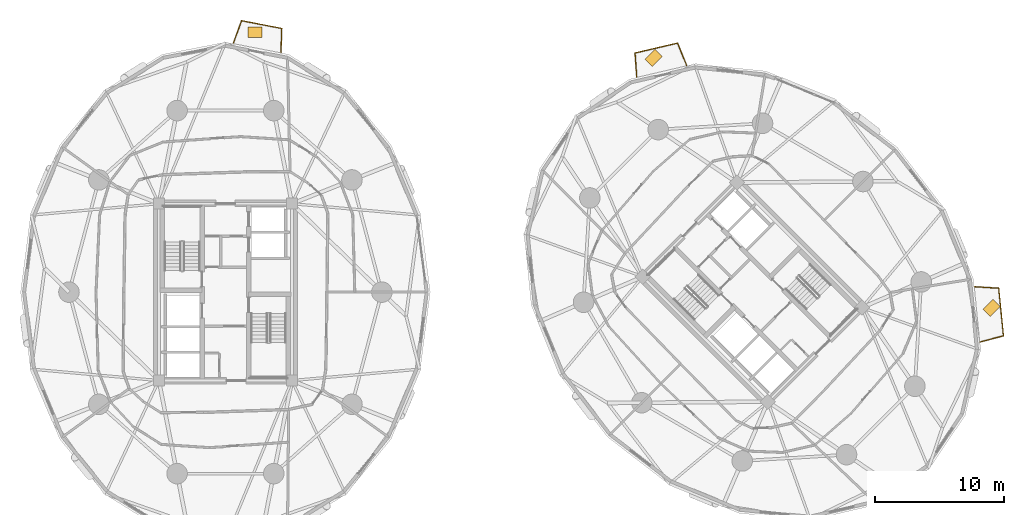
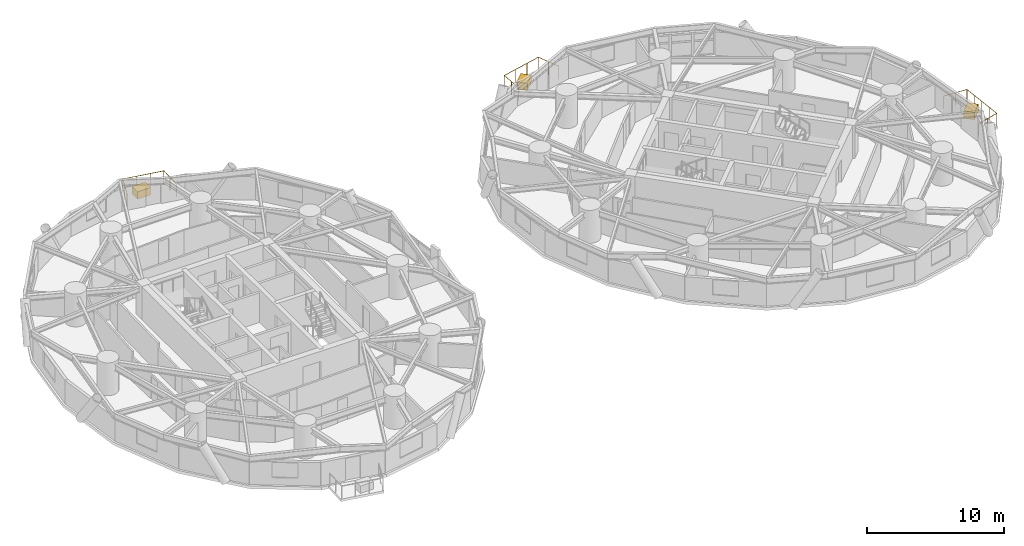
# One storey, part 17 of 17: 3 coverings, 3 railings.
"""IFC4 building model written with IfcOpenShell, lengths in metres."""

from ifc_helpers import new_model, si_unit, direction, frame, origin, origin_2d, place, context, subcontext, project, spatial, rectangle, circle, extrude, source, transform, mapped, material, layer, layer_set, type_object, element, save


model = new_model("IFC4")

# Units and contexts
model_context = context("Model", 3, precision=1e-05, world=origin(), true_north=direction((0.0, 1.0)))
body_context = subcontext(model_context, "Body", "Model", "MODEL_VIEW")
ifc_project = project(units=[si_unit("LENGTHUNIT", "METRE"), si_unit("AREAUNIT", "SQUARE_METRE"), si_unit("VOLUMEUNIT", "CUBIC_METRE"), si_unit("PLANEANGLEUNIT", "RADIAN"), si_unit("MASSUNIT", "GRAM", prefix="KILO")], contexts=[model_context])

# Site, building, storey
site_placement = place(None, origin())
site = spatial("IfcSite", under=ifc_project, at=site_placement, CompositionType="ELEMENT")
building_placement = place(site_placement, origin())
building = spatial("IfcBuilding", under=site, at=building_placement, Name="Cununo Teusaquillo Station Towers", CompositionType="ELEMENT")
storey_placement = place(building_placement, frame((0.0, 0.0, 59.830078125)))
storey = spatial("IfcBuildingStorey", under=building, at=storey_placement, Name="L18", CompositionType="ELEMENT", Elevation=59.830078125)

# Railings
ifc_material_1 = material(Name="Anodised dark bronze aluminium EN AW-6063-T6", Category="aluminium")
railing_type_1 = type_object("IfcRailingType", Name="RL-EXT-BALUS", PredefinedType="BALUSTRADE", material=ifc_material_1)
railing_1_placement = place(storey_placement, frame((17.1181640625, 43.87158203125, 0.0)))
element("IfcRailing", 1, at=railing_1_placement, inside=storey, type_object=railing_type_1, Name="L18 Tower A Balcony Guardrail C04", PredefinedType="BALUSTRADE", context=body_context, shape_type="SweptSolid", body=[
    extrude(circle(Radius=0.02392578125, at=origin_2d()), frame((0.0, 0.0, 1.17578125), z_axis=(0.343992902358, 0.938972248326, 0.0), x_axis=(-0.938972248326, 0.343992902358, 0.0)), (0.0, 0.0, 1.0), 1.86376953125),
    extrude(circle(Radius=0.02392578125, at=origin_2d()), frame((0.64111328125, 1.75, 1.17578125), z_axis=(0.981832956512, -0.189747320158, 0.0), x_axis=(0.189747320158, 0.981832956512, 0.0)), (0.0, 0.0, 1.0), 3.179443359375),
    extrude(circle(Radius=0.02392578125, at=origin_2d()), frame((3.7626953125, 1.146728515625, 1.17578125), z_axis=(-0.030654001707, -0.999530055666, 0.0), x_axis=(0.999530055666, -0.030654001707, 0.0)), (0.0, 0.0, 1.0), 1.86376953125),
    extrude(circle(Radius=0.02099609375, at=origin_2d()), origin(), (0.0, 0.0, 1.0), 1.15185546875),
    extrude(circle(Radius=0.02099609375, at=origin_2d()), frame((0.320556640625, 0.875, 0.0)), (0.0, 0.0, 1.0), 1.15185546875),
    extrude(circle(Radius=0.02099609375, at=origin_2d()), frame((0.64111328125, 1.75, 0.0)), (0.0, 0.0, 1.0), 1.15185546875),
    extrude(circle(Radius=0.02099609375, at=origin_2d()), frame((1.681640625, 1.548828125, 0.0)), (0.0, 0.0, 1.0), 1.15185546875),
    extrude(circle(Radius=0.02099609375, at=origin_2d()), frame((2.72216796875, 1.347900390625, 0.0)), (0.0, 0.0, 1.0), 1.15185546875),
    extrude(circle(Radius=0.02099609375, at=origin_2d()), frame((3.7626953125, 1.146728515625, 0.0)), (0.0, 0.0, 1.0), 1.15185546875),
    extrude(circle(Radius=0.02099609375, at=origin_2d()), frame((3.734130859375, 0.21533203125, 0.0)), (0.0, 0.0, 1.0), 1.15185546875),
    extrude(circle(Radius=0.02099609375, at=origin_2d()), frame((3.70556640625, -0.716064453125, 0.0)), (0.0, 0.0, 1.0), 1.15185546875),
])
railing_2_placement = place(storey_placement, frame((48.501220703125, 41.242919921875, 0.0)))
element("IfcRailing", 2, at=railing_2_placement, inside=storey, type_object=railing_type_1, Name="L18 Tower B Balcony Guardrail C03", PredefinedType="BALUSTRADE", context=body_context, shape_type="SweptSolid", body=[
    extrude(circle(Radius=0.02392578125, at=origin_2d()), frame((0.0, 0.0, 1.17578125), z_axis=(-0.069035426256, 0.997614208961, 0.0), x_axis=(-0.997614208961, -0.069035426256, 0.0)), (0.0, 0.0, 1.0), 1.8671875),
    extrude(circle(Radius=0.02392578125, at=origin_2d()), frame((-0.12890625, 1.86279296875, 1.17578125), z_axis=(0.973844925732, 0.227213689346, 0.0), x_axis=(-0.227213689346, 0.973844925732, 0.0)), (0.0, 0.0, 1.0), 3.39208984375),
    extrude(circle(Radius=0.02392578125, at=origin_2d()), frame((3.174560546875, 2.633544921875, 1.17578125), z_axis=(0.379717055275, -0.925102674266, 0.0), x_axis=(0.925102674266, 0.379717055275, 0.0)), (0.0, 0.0, 1.0), 1.8671875),
    extrude(circle(Radius=0.02099609375, at=origin_2d()), origin(), (0.0, 0.0, 1.0), 1.15185546875),
    extrude(circle(Radius=0.02099609375, at=origin_2d()), frame((-0.064453125, 0.931396484375, 0.0)), (0.0, 0.0, 1.0), 1.15185546875),
    extrude(circle(Radius=0.02099609375, at=origin_2d()), frame((-0.12890625, 1.86279296875, 0.0)), (0.0, 0.0, 1.0), 1.15185546875),
    extrude(circle(Radius=0.02099609375, at=origin_2d()), frame((0.97216796875, 2.11962890625, 0.0)), (0.0, 0.0, 1.0), 1.15185546875),
    extrude(circle(Radius=0.02099609375, at=origin_2d()), frame((2.073486328125, 2.376708984375, 0.0)), (0.0, 0.0, 1.0), 1.15185546875),
    extrude(circle(Radius=0.02099609375, at=origin_2d()), frame((3.174560546875, 2.633544921875, 0.0)), (0.0, 0.0, 1.0), 1.15185546875),
    extrude(circle(Radius=0.02099609375, at=origin_2d()), frame((3.529052734375, 1.77001953125, 0.0)), (0.0, 0.0, 1.0), 1.15185546875),
    extrude(circle(Radius=0.02099609375, at=origin_2d()), frame((3.883544921875, 0.90625, 0.0)), (0.0, 0.0, 1.0), 1.15185546875),
])
ifc_material_2 = material(Name="Anodised dark bronze aluminium EN AW-6063-T6", Category="aluminium")
railing_type_2 = type_object("IfcRailingType", Name="RL-EXT-GUARD", PredefinedType="GUARDRAIL", material=ifc_material_2)
railing_3_placement = place(storey_placement, frame((74.802001953125, 24.919677734375, 0.0)))
element("IfcRailing", 3, at=railing_3_placement, inside=storey, type_object=railing_type_2, Name="L18 Tower B Balcony Guardrail C17", PredefinedType="GUARDRAIL", context=body_context, shape_type="SweptSolid", body=[
    extrude(circle(Radius=0.02392578125, at=origin_2d()), frame((0.0, 0.0, 1.1259765625), z_axis=(0.998127460109, -0.061168401776, 0.0), x_axis=(0.061168401776, 0.998127460109, 0.0)), (0.0, 0.0, 1.0), 1.871826171875),
    extrude(circle(Radius=0.02392578125, at=origin_2d()), frame((1.868408203125, -0.114501953125, 1.1259765625), z_axis=(0.098626583811, -0.995124513298, 0.0), x_axis=(0.995124513298, 0.098626583811, 0.0)), (0.0, 0.0, 1.0), 3.720458984375),
    extrude(circle(Radius=0.02392578125, at=origin_2d()), frame((2.2353515625, -3.81689453125, 1.1259765625), z_axis=(-0.966705227862, -0.255892560316, 0.0), x_axis=(0.255892560316, -0.966705227862, 0.0)), (0.0, 0.0, 1.0), 1.871826171875),
    extrude(circle(Radius=0.02099609375, at=origin_2d()), origin(), (0.0, 0.0, 1.0), 1.101806640625),
    extrude(circle(Radius=0.02099609375, at=origin_2d()), frame((0.93408203125, -0.05712890625, 0.0)), (0.0, 0.0, 1.0), 1.101806640625),
    extrude(circle(Radius=0.02099609375, at=origin_2d()), frame((1.868408203125, -0.114501953125, 0.0)), (0.0, 0.0, 1.0), 1.101806640625),
    extrude(circle(Radius=0.02099609375, at=origin_2d()), frame((1.960205078125, -1.0400390625, 0.0)), (0.0, 0.0, 1.0), 1.101806640625),
    extrude(circle(Radius=0.02099609375, at=origin_2d()), frame((2.0517578125, -1.9658203125, 0.0)), (0.0, 0.0, 1.0), 1.101806640625),
    extrude(circle(Radius=0.02099609375, at=origin_2d()), frame((2.1435546875, -2.891357421875, 0.0)), (0.0, 0.0, 1.0), 1.101806640625),
    extrude(circle(Radius=0.02099609375, at=origin_2d()), frame((2.2353515625, -3.81689453125, 0.0)), (0.0, 0.0, 1.0), 1.101806640625),
    extrude(circle(Radius=0.02099609375, at=origin_2d()), frame((1.33056640625, -4.056396484375, 0.0)), (0.0, 0.0, 1.0), 1.101806640625),
    extrude(circle(Radius=0.02099609375, at=origin_2d()), frame((0.42578125, -4.2958984375, 0.0)), (0.0, 0.0, 1.0), 1.101806640625),
])

# Coverings
ifc_material_3 = material(Name="Architectural GRC planter shell and engineered root-zone substrate", Category="concrete")
ifc_layer = layer(ifc_material_3, 0.64990234375)
ifc_layer_set = layer_set([ifc_layer], Name="Architectural GRC planter shell and engineered root-zone substrate")
covering_type = type_object("IfcCoveringType", Name="COV-TREE-PLANTER", PredefinedType="CLADDING", material=ifc_layer_set)
shared_shape = source(origin(), body_context, "Body", "SweptSolid", [
    extrude(rectangle(XDim=1.10009765625, YDim=0.800048828125, at=origin_2d()), origin(), (0.0, 0.0, 1.0), 0.64990234375),
])
for number, where, z_axis, x_axis, name in (
    (4, (18.810546875, 44.712158203125, 0.0), (0.0, 0.0, 1.0), (1.0, 0.0, 0.0), "L18 Tower A Balcony Tree PLANTER C04"),
    (5, (49.80712890625, 42.7265625, 0.0), (0.0, 0.0, 1.0), (0.707106781187, 0.707106781187, 0.0), "L18 Tower B Balcony Tree PLANTER C03"),
    (6, (76.12158203125, 23.268310546875, 0.0), (0.0, 0.0, 1.0), (0.707106781187, 0.707106781187, 0.0), "L18 Tower B Balcony Tree PLANTER C17"),
):
    element("IfcCovering", number, at=place(storey_placement, frame(where, z_axis=z_axis, x_axis=x_axis)), inside=storey, type_object=covering_type, Name=name, PredefinedType="CLADDING", context=body_context, shape_type="MappedRepresentation", body=[
        mapped(shared_shape, transform((0.0, 0.0, 0.0), x_axis=(1.0, 0.0, 0.0), y_axis=(0.0, 1.0, 0.0), z_axis=(0.0, 0.0, 1.0), scale=1.0)),
    ])

save(model, "model.ifc")
